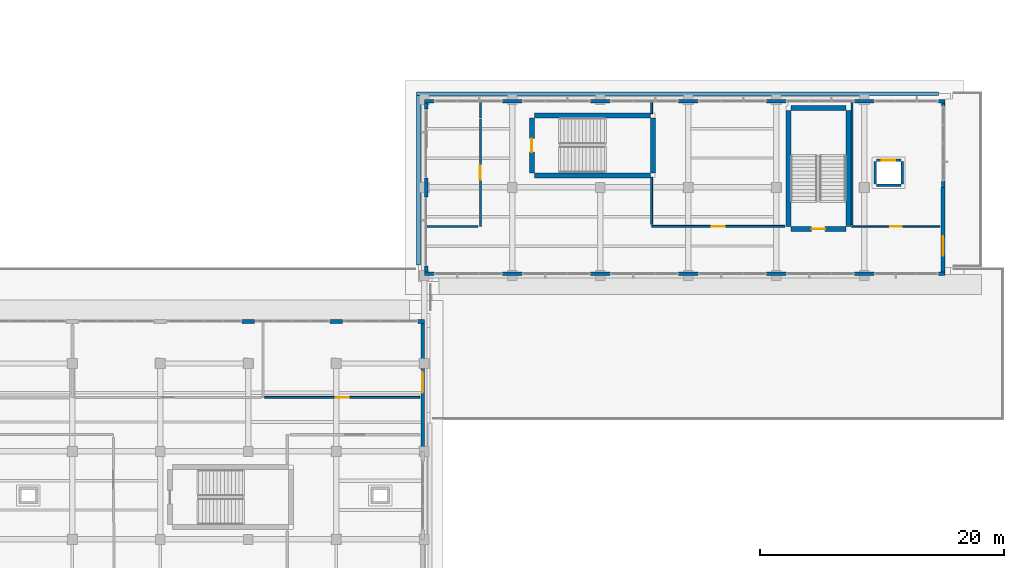
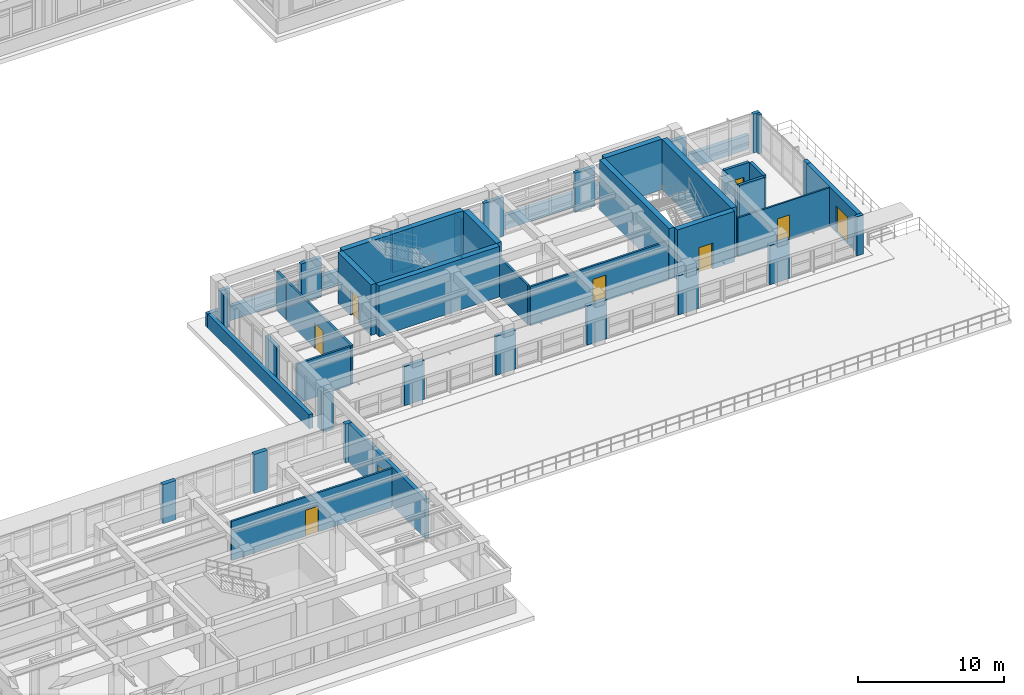
# One storey, part 49 of 67: 48 walls, 9 doors, 9 openings.
"""IFC4 building model written with IfcOpenShell, lengths in metres."""

from ifc_helpers import new_model, si_unit, direction, frame, frame_2d, origin, place, context, subcontext, project, spatial, rectangle, extrude, material, layer, layer_set, type_object, element, fill, save


model = new_model("IFC4")

# Units and contexts
model_context = context("Model", 3, precision=1e-05, world=origin(), true_north=direction((0.0, 1.0)))
body_context = subcontext(model_context, "Body", "Model", "MODEL_VIEW")
ifc_project = project(units=[si_unit("LENGTHUNIT", "METRE"), si_unit("AREAUNIT", "SQUARE_METRE"), si_unit("VOLUMEUNIT", "CUBIC_METRE"), si_unit("PLANEANGLEUNIT", "RADIAN"), si_unit("MASSUNIT", "GRAM", prefix="KILO")], contexts=[model_context])

# Site, building, storey
site_placement = place(None, origin())
site = spatial("IfcSite", under=ifc_project, at=site_placement, CompositionType="ELEMENT")
building_placement = place(site_placement, origin())
building = spatial("IfcBuilding", under=site, at=building_placement, Name="Solenvale Faculty of Natural Sciences", CompositionType="ELEMENT")
storey_placement = place(building_placement, frame((0.0, 0.0, 13.5)))
storey = spatial("IfcBuildingStorey", under=building, at=storey_placement, Name="L03", CompositionType="ELEMENT", Elevation=13.5)

# Walls
ifc_material_1 = material(Name="Architectural bronze concrete 40 MPa", Category="concrete")
ifc_layer_1 = layer(ifc_material_1, 0.300048828125)
ifc_layer_set_1 = layer_set([ifc_layer_1], Name="Architectural bronze concrete 40 MPa")
wall_type_1 = type_object("IfcWallType", Name="WL-EXT-BRZ-300", PredefinedType="STANDARD", material=ifc_layer_set_1)
wall_1_placement = place(storey_placement, frame((114.72998046875, 44.070068359375, 0.0), z_axis=(0.0, 0.0, 1.0), x_axis=(0.0, 1.0, 0.0)))
element("IfcWall", 1, at=wall_1_placement, inside=storey, type_object=wall_type_1, Name="L03 Sliding-Tray Rough Bronze Concrete Band 4", PredefinedType="PARAPET", context=body_context, shape_type="SweptSolid", body=[
    extrude(rectangle(XDim=13.849853515625, YDim=0.300048828125, at=frame_2d((6.9248046875, 0.0))), origin(), (0.0, 0.0, 1.0), 1.179931640625),
])
wall_2_placement = place(storey_placement, frame((114.580078125, 58.070068359375, 0.0), z_axis=(0.0, 0.0, 1.0), x_axis=(0.999999999738, -2.2875705e-05, 0.0)))
element("IfcWall", 2, at=wall_2_placement, inside=storey, type_object=wall_type_1, Name="L03 Sliding-Tray Rough Bronze Concrete Band 5", PredefinedType="PARAPET", context=body_context, shape_type="SweptSolid", body=[
    extrude(rectangle(XDim=42.68994140625, YDim=0.300048828125, at=frame_2d((21.344970703125, 0.0))), origin(), (0.0, 0.0, 1.0), 1.179931640625),
])
ifc_layer_2 = layer(ifc_material_1, 0.324951171875)
ifc_layer_set_2 = layer_set([ifc_layer_2], Name="Architectural bronze concrete 40 MPa")
wall_type_2 = type_object("IfcWallType", Name="WL-EXT-BRZ-325", PredefinedType="STANDARD", material=ifc_layer_set_2)
wall_3_placement = place(storey_placement, frame((115.199951171875, 39.4375, 0.0), z_axis=(0.0, 0.0, 1.0), x_axis=(-1.0, 0.0, 0.0)))
element("IfcWall", 3, at=wall_3_placement, inside=storey, type_object=wall_type_2, Name="L03 Facade Closure Pier 8.B1-L", PredefinedType="STANDARD", context=body_context, shape_type="SweptSolid", body=[
    extrude(rectangle(XDim=0.51806640625, YDim=0.324951171875, at=frame_2d((0.259033203125, 0.0))), origin(), (0.0, 0.0, 1.0), 3.260009765625),
])
for number, where, z_axis, x_axis, name in (
    (4, (108.51806640625, 39.4375, 0.0), (0.0, 0.0, 1.0), (-1.0, 0.0, 0.0), "L03 Facade Closure Pier 8.B1-R"),
    (5, (101.318115234375, 39.4375, 0.0), (0.0, 0.0, 1.0), (-1.0, 0.0, 0.0), "L03 Facade Closure Pier 8.B2-R"),
):
    element("IfcWall", number, at=place(storey_placement, frame(where, z_axis=z_axis, x_axis=x_axis)), inside=storey, type_object=wall_type_2, Name=name, PredefinedType="STANDARD", context=body_context, shape_type="SweptSolid", body=[
        extrude(rectangle(XDim=1.0361328125, YDim=0.324951171875, at=frame_2d((0.51806640625, 0.0))), origin(), (0.0, 0.0, 1.0), 3.260009765625),
    ])
ifc_material_2 = material(Name="Precast concrete 40 MPa", Category="concrete")
ifc_layer_3 = layer(ifc_material_2, 0.264892578125)
ifc_layer_set_3 = layer_set([ifc_layer_3], Name="Precast concrete 40 MPa")
wall_type_3 = type_object("IfcWallType", Name="WL-EXT-PRC-265", PredefinedType="STANDARD", material=ifc_layer_set_3)
wall_4_placement = place(storey_placement, frame((115.0673828125, 39.27490234375, 0.0), z_axis=(0.0, 0.0, 1.0), x_axis=(0.0, -1.0, 0.0)))
element("IfcWall", 6, at=wall_4_placement, inside=storey, type_object=wall_type_3, Name="L03 Exterior Wall 7.4", PredefinedType="STANDARD", context=body_context, shape_type="SweptSolid", body=[
    extrude(rectangle(XDim=3.27490234375, YDim=0.264892578125, at=frame_2d((1.637451171875, 0.0))), origin(), (0.0, 0.0, 1.0), 3.260009765625),
])

# Wall, opening, door
ifc_layer_4 = layer(ifc_material_2, 0.284912109375)
ifc_layer_set_4 = layer_set([ifc_layer_4], Name="Precast concrete 40 MPa")
wall_type_4 = type_object("IfcWallType", Name="WL-EXT-PRC-285", PredefinedType="STANDARD", material=ifc_layer_set_4)
wall_5_placement = place(storey_placement, frame((115.0576171875, 36.0, 0.0), z_axis=(0.0, 0.0, 1.0), x_axis=(0.0, -1.0, 0.0)))
wall_5 = element("IfcWall", 7, at=wall_5_placement, inside=storey, type_object=wall_type_4, Name="L03 Exterior Wall 7.3", PredefinedType="STANDARD", context=body_context, shape_type="SweptSolid", body=[
    extrude(rectangle(XDim=7.199951171875, YDim=0.284912109375, at=frame_2d((3.60009765625, 0.0))), origin(), (0.0, 0.0, 1.0), 3.260009765625),
])
opening_1_placement = place(wall_5_placement, frame((0.699951171875, 0.0, 0.0)))
opening_1 = element("IfcOpeningElement", 8, at=opening_1_placement, cuts=wall_5, Name="Opening TD-40", PredefinedType="OPENING", context=body_context, shape_type="SweptSolid", body=[
    extrude(rectangle(XDim=1.699951171875, YDim=2.199951171875, at=frame_2d((0.85009765625, 1.10009765625))), frame((0.0, 0.15234375, 0.0), z_axis=(0.0, -1.0, 0.0), x_axis=(1.0, 0.0, 0.0)), (0.0, 0.0, 1.0), 0.304931640625),
])
ifc_material_3 = material(Name="Anodised bronze aluminium", Category="aluminium")
door_type_1 = type_object("IfcDoorType", Name="DR-TER-1700x2200", OperationType="NOTDEFINED", PredefinedType="DOOR", material=ifc_material_3)
door_1_placement = place(opening_1_placement, origin())
door_1 = element("IfcDoor", 9, at=door_1_placement, inside=storey, type_object=door_type_1, Name="L03 Exterior Terrace Door TD-40", OperationType="DOUBLE_DOOR_SINGLE_SWING", OverallHeight=2.199951171875, OverallWidth=1.699951171875, PredefinedType="DOOR", context=body_context, shape_type="SweptSolid", body=[
    extrude(rectangle(XDim=1.699951171875, YDim=2.199951171875, at=frame_2d((0.85009765625, 1.10009765625))), frame((0.0, 0.02490234375, 0.0), z_axis=(0.0, -1.0, 0.0), x_axis=(1.0, 0.0, 0.0)), (0.0, 0.0, 1.0), 0.050048828125),
])
fill(opening_1, door_1)

# Walls
wall_6_placement = place(storey_placement, frame((115.199951171875, 43.342529296875, 0.0), z_axis=(0.0, 0.0, 1.0), x_axis=(1.0, 0.0, 0.0)))
element("IfcWall", 10, at=wall_6_placement, inside=storey, type_object=wall_type_4, Name="L03 Facade Closure Pier 1.B1-L", PredefinedType="STANDARD", context=body_context, shape_type="SweptSolid", body=[
    extrude(rectangle(XDim=0.7880859375, YDim=0.284912109375, at=frame_2d((0.39404296875, 0.0))), origin(), (0.0, 0.0, 1.0), 3.260009765625),
])
for number, where, z_axis, x_axis, name in (
    (11, (121.612060546875, 43.342529296875, 0.0), (0.0, 0.0, 1.0), (1.0, 0.0, 0.0), "L03 Facade Closure Pier 1.B1-R"),
    (12, (128.81201171875, 43.342529296875, 0.0), (0.0, 0.0, 1.0), (1.0, 0.0, 0.0), "L03 Facade Closure Pier 1.B2-R"),
    (13, (136.011962890625, 43.342529296875, 0.0), (0.0, 0.0, 1.0), (1.0, 0.0, 0.0), "L03 Facade Closure Pier 1.B3-R"),
):
    element("IfcWall", number, at=place(storey_placement, frame(where, z_axis=z_axis, x_axis=x_axis)), inside=storey, type_object=wall_type_4, Name=name, PredefinedType="STANDARD", context=body_context, shape_type="SweptSolid", body=[
        extrude(rectangle(XDim=1.575927734375, YDim=0.284912109375, at=frame_2d((0.7880859375, 0.0))), origin(), (0.0, 0.0, 1.0), 3.260009765625),
    ])
wall_7_placement = place(storey_placement, frame((143.2119140625, 43.342529296875, 0.0), z_axis=(0.0, 0.0, 1.0), x_axis=(1.0, 0.0, 0.0)))
element("IfcWall", 14, at=wall_7_placement, inside=storey, type_object=wall_type_4, Name="L03 Facade Closure Pier 1.B4-R", PredefinedType="STANDARD", context=body_context, shape_type="SweptSolid", body=[
    extrude(rectangle(XDim=1.576171875, YDim=0.284912109375, at=frame_2d((0.7880859375, 0.0))), origin(), (0.0, 0.0, 1.0), 3.260009765625),
])
wall_8_placement = place(storey_placement, frame((150.412109375, 43.342529296875, 0.0), z_axis=(0.0, 0.0, 1.0), x_axis=(1.0, 0.0, 0.0)))
element("IfcWall", 15, at=wall_8_placement, inside=storey, type_object=wall_type_4, Name="L03 Facade Closure Pier 1.B5-R", PredefinedType="STANDARD", context=body_context, shape_type="SweptSolid", body=[
    extrude(rectangle(XDim=1.575927734375, YDim=0.284912109375, at=frame_2d((0.7880859375, 0.0))), origin(), (0.0, 0.0, 1.0), 3.260009765625),
])
for number, where, z_axis, x_axis, name in (
    (16, (157.281982421875, 43.342529296875, 0.0), (0.0, 0.0, 1.0), (1.0, 0.0, 0.0), "L03 Facade Closure Pier 1.B6-R"),
    (17, (157.657470703125, 50.39990234375, 0.0), (0.0, 0.0, 1.0), (0.0, 1.0, 0.0), "L03 Facade Closure Pier 2.B2-L"),
):
    element("IfcWall", number, at=place(storey_placement, frame(where, z_axis=z_axis, x_axis=x_axis)), inside=storey, type_object=wall_type_4, Name=name, PredefinedType="STANDARD", context=body_context, shape_type="SweptSolid", body=[
        extrude(rectangle(XDim=0.51806640625, YDim=0.284912109375, at=frame_2d((0.259033203125, 0.0))), origin(), (0.0, 0.0, 1.0), 3.260009765625),
    ])
wall_9_placement = place(storey_placement, frame((157.657470703125, 57.08203125, 0.0), z_axis=(0.0, 0.0, 1.0), x_axis=(0.0, 1.0, 0.0)))
element("IfcWall", 18, at=wall_9_placement, inside=storey, type_object=wall_type_4, Name="L03 Facade Closure Pier 2.B2-R", PredefinedType="STANDARD", context=body_context, shape_type="SweptSolid", body=[
    extrude(rectangle(XDim=0.23291015625, YDim=0.284912109375, at=frame_2d((0.116455078125, 0.0))), origin(), (0.0, 0.0, 1.0), 3.260009765625),
])
wall_10_placement = place(storey_placement, frame((157.800048828125, 57.45751953125, 0.0), z_axis=(0.0, 0.0, 1.0), x_axis=(-1.0, 0.0, 0.0)))
element("IfcWall", 19, at=wall_10_placement, inside=storey, type_object=wall_type_4, Name="L03 Facade Closure Pier 3.B1-L", PredefinedType="STANDARD", context=body_context, shape_type="SweptSolid", body=[
    extrude(rectangle(XDim=0.51806640625, YDim=0.284912109375, at=frame_2d((0.259033203125, 0.0))), origin(), (0.0, 0.0, 1.0), 3.260009765625),
])
wall_11_placement = place(storey_placement, frame((151.988037109375, 57.45751953125, 0.0), z_axis=(0.0, 0.0, 1.0), x_axis=(-1.0, 0.0, 0.0)))
element("IfcWall", 20, at=wall_11_placement, inside=storey, type_object=wall_type_4, Name="L03 Facade Closure Pier 3.B1-R", PredefinedType="STANDARD", context=body_context, shape_type="SweptSolid", body=[
    extrude(rectangle(XDim=1.575927734375, YDim=0.284912109375, at=frame_2d((0.7880859375, 0.0))), origin(), (0.0, 0.0, 1.0), 3.260009765625),
])
wall_12_placement = place(storey_placement, frame((144.7880859375, 57.45751953125, 0.0), z_axis=(0.0, 0.0, 1.0), x_axis=(-1.0, 0.0, 0.0)))
element("IfcWall", 21, at=wall_12_placement, inside=storey, type_object=wall_type_4, Name="L03 Facade Closure Pier 3.B2-R", PredefinedType="STANDARD", context=body_context, shape_type="SweptSolid", body=[
    extrude(rectangle(XDim=1.576171875, YDim=0.284912109375, at=frame_2d((0.7880859375, 0.0))), origin(), (0.0, 0.0, 1.0), 3.260009765625),
])
for number, where, z_axis, x_axis, name in (
    (22, (137.587890625, 57.45751953125, 0.0), (0.0, 0.0, 1.0), (-1.0, 0.0, 0.0), "L03 Facade Closure Pier 3.B3-R"),
    (23, (130.387939453125, 57.45751953125, 0.0), (0.0, 0.0, 1.0), (-1.0, 0.0, 0.0), "L03 Facade Closure Pier 3.B4-R"),
    (24, (123.18798828125, 57.45751953125, 0.0), (0.0, 0.0, 1.0), (-1.0, 0.0, 0.0), "L03 Facade Closure Pier 3.B5-R"),
):
    element("IfcWall", number, at=place(storey_placement, frame(where, z_axis=z_axis, x_axis=x_axis)), inside=storey, type_object=wall_type_4, Name=name, PredefinedType="STANDARD", context=body_context, shape_type="SweptSolid", body=[
        extrude(rectangle(XDim=1.575927734375, YDim=0.284912109375, at=frame_2d((0.7880859375, 0.0))), origin(), (0.0, 0.0, 1.0), 3.260009765625),
    ])
wall_13_placement = place(storey_placement, frame((115.988037109375, 57.45751953125, 0.0), z_axis=(0.0, 0.0, 1.0), x_axis=(-1.0, 0.0, 0.0)))
element("IfcWall", 25, at=wall_13_placement, inside=storey, type_object=wall_type_4, Name="L03 Facade Closure Pier 3.B6-R", PredefinedType="STANDARD", context=body_context, shape_type="SweptSolid", body=[
    extrude(rectangle(XDim=0.7880859375, YDim=0.284912109375, at=frame_2d((0.39404296875, 0.0))), origin(), (0.0, 0.0, 1.0), 3.260009765625),
])
wall_14_placement = place(storey_placement, frame((115.342529296875, 57.31494140625, 0.0), z_axis=(0.0, 0.0, 1.0), x_axis=(0.0, -1.0, 0.0)))
element("IfcWall", 26, at=wall_14_placement, inside=storey, type_object=wall_type_4, Name="L03 Facade Closure Pier 4.B1-L", PredefinedType="STANDARD", context=body_context, shape_type="SweptSolid", body=[
    extrude(rectangle(XDim=0.5029296875, YDim=0.284912109375, at=frame_2d((0.25146484375, 0.0))), origin(), (0.0, 0.0, 1.0), 3.260009765625),
])
wall_15_placement = place(storey_placement, frame((115.342529296875, 51.18798828125, 0.0), z_axis=(0.0, 0.0, 1.0), x_axis=(0.0, -1.0, 0.0)))
element("IfcWall", 27, at=wall_15_placement, inside=storey, type_object=wall_type_4, Name="L03 Facade Closure Pier 4.B1-R", PredefinedType="STANDARD", context=body_context, shape_type="SweptSolid", body=[
    extrude(rectangle(XDim=1.575927734375, YDim=0.284912109375, at=frame_2d((0.7880859375, 0.0))), origin(), (0.0, 0.0, 1.0), 3.260009765625),
])
wall_16_placement = place(storey_placement, frame((115.342529296875, 43.988037109375, 0.0), z_axis=(0.0, 0.0, 1.0), x_axis=(0.0, -1.0, 0.0)))
element("IfcWall", 28, at=wall_16_placement, inside=storey, type_object=wall_type_4, Name="L03 Facade Closure Pier 4.B2-R", PredefinedType="STANDARD", context=body_context, shape_type="SweptSolid", body=[
    extrude(rectangle(XDim=0.5029296875, YDim=0.284912109375, at=frame_2d((0.25146484375, 0.0))), origin(), (0.0, 0.0, 1.0), 3.260009765625),
])

# Wall, opening, door
ifc_layer_5 = layer(ifc_material_2, 0.330078125)
ifc_layer_set_5 = layer_set([ifc_layer_5], Name="Precast concrete 40 MPa")
wall_type_5 = type_object("IfcWallType", Name="WL-EXT-PRC-330", PredefinedType="STANDARD", material=ifc_layer_set_5)
wall_17_placement = place(storey_placement, frame((157.635009765625, 50.39990234375, 0.0), z_axis=(0.0, 0.0, 1.0), x_axis=(0.0, -1.0, 0.0)))
wall_17 = element("IfcWall", 29, at=wall_17_placement, inside=storey, type_object=wall_type_5, Name="L03 Exterior Wall 2.1", PredefinedType="STANDARD", context=body_context, shape_type="SweptSolid", body=[
    extrude(rectangle(XDim=6.914794921875, YDim=0.330078125, at=frame_2d((3.45751953125, 0.0))), origin(), (0.0, 0.0, 1.0), 3.260009765625),
])
opening_2_placement = place(wall_17_placement, frame((4.008056640625, 0.0, 0.0)))
opening_2 = element("IfcOpeningElement", 30, at=opening_2_placement, cuts=wall_17, Name="Opening TD-41", PredefinedType="OPENING", context=body_context, shape_type="SweptSolid", body=[
    extrude(rectangle(XDim=1.60009765625, YDim=2.199951171875, at=frame_2d((0.800048828125, 1.10009765625))), frame((0.0, 0.175048828125, 0.0), z_axis=(0.0, -1.0, 0.0), x_axis=(1.0, 0.0, 0.0)), (0.0, 0.0, 1.0), 0.35009765625),
])
door_type_2 = type_object("IfcDoorType", Name="DR-TER-1600x2200", OperationType="NOTDEFINED", PredefinedType="DOOR", material=ifc_material_3)
door_2_placement = place(opening_2_placement, origin())
door_2 = element("IfcDoor", 31, at=door_2_placement, inside=storey, type_object=door_type_2, Name="L03 Exterior Terrace Door TD-41", OperationType="DOUBLE_DOOR_SINGLE_SWING", OverallHeight=2.199951171875, OverallWidth=1.60009765625, PredefinedType="DOOR", context=body_context, shape_type="SweptSolid", body=[
    extrude(rectangle(XDim=1.60009765625, YDim=2.199951171875, at=frame_2d((0.800048828125, 1.10009765625))), frame((0.0, 0.02490234375, 0.0), z_axis=(0.0, -1.0, 0.0), x_axis=(1.0, 0.0, 0.0)), (0.0, 0.0, 1.0), 0.050048828125),
])
fill(opening_2, door_2)

ifc_material_4 = material(Name="Acoustic stud gypsum partition")
ifc_layer_6 = layer(ifc_material_4, 0.132080078125)
ifc_layer_set_6 = layer_set([ifc_layer_6], Name="Acoustic stud gypsum partition")
wall_type_6 = type_object("IfcWallType", Name="WL-OFF-132", PredefinedType="PARTITIONING", material=ifc_layer_set_6)
wall_18_placement = place(storey_placement, frame((157.39208984375, 47.219970703125, 0.0), z_axis=(0.0, 0.0, 1.0), x_axis=(-1.0, 0.0, 0.0)))
wall_18 = element("IfcWall", 32, at=wall_18_placement, inside=storey, type_object=wall_type_6, Name="L03 Faculty Staff Office Partition 2", PredefinedType="PARTITIONING", context=body_context, shape_type="SweptSolid", body=[
    extrude(rectangle(XDim=7.192138671875, YDim=0.132080078125, at=frame_2d((3.59619140625, 0.0))), origin(), (0.0, 0.0, 1.0), 3.260009765625),
])
opening_3_placement = place(wall_18_placement, frame((3.12109375, 0.0, 0.0)))
opening_3 = element("IfcOpeningElement", 33, at=opening_3_placement, cuts=wall_18, Name="Opening D-L03-12", PredefinedType="OPENING", context=body_context, shape_type="SweptSolid", body=[
    extrude(rectangle(XDim=0.949951171875, YDim=2.10009765625, at=frame_2d((0.47509765625, 1.050048828125))), frame((0.0, 0.075927734375, 0.0), z_axis=(0.0, -1.0, 0.0), x_axis=(1.0, 0.0, 0.0)), (0.0, 0.0, 1.0), 0.152099609375),
])
ifc_material_5 = material(Name="Oak acoustic timber leaf", Category="wood")
door_type_3 = type_object("IfcDoorType", Name="DR-OFF-0950x2100", OperationType="NOTDEFINED", PredefinedType="DOOR", material=ifc_material_5)
door_3_placement = place(opening_3_placement, origin())
door_3 = element("IfcDoor", 34, at=door_3_placement, inside=storey, type_object=door_type_3, Name="L03 Faculty Staff Office Door", OperationType="SINGLE_SWING_RIGHT", OverallHeight=2.10009765625, OverallWidth=0.949951171875, PredefinedType="DOOR", context=body_context, shape_type="SweptSolid", body=[
    extrude(rectangle(XDim=0.949951171875, YDim=2.10009765625, at=frame_2d((0.47509765625, 1.050048828125))), frame((0.0, 0.02490234375, 0.0), z_axis=(0.0, -1.0, 0.0), x_axis=(1.0, 0.0, 0.0)), (0.0, 0.0, 1.0), 0.050048828125),
])
fill(opening_3, door_3)

# Wall
wall_19_placement = place(storey_placement, frame((150.199951171875, 47.364013671875, 0.0), z_axis=(0.0, 0.0, 1.0), x_axis=(0.0, 1.0, 0.0)))
element("IfcWall", 35, at=wall_19_placement, inside=storey, type_object=wall_type_6, Name="L03 Faculty Staff Office Partition 3", PredefinedType="PARTITIONING", context=body_context, shape_type="SweptSolid", body=[
    extrude(rectangle(XDim=10.053955078125, YDim=0.132080078125, at=frame_2d((5.02685546875, 0.0))), origin(), (0.0, 0.0, 1.0), 3.260009765625),
])

# Wall, opening, door
ifc_material_6 = material(Name="Acoustic double-stud gypsum partition")
ifc_layer_7 = layer(ifc_material_6, 0.155029296875)
ifc_layer_set_7 = layer_set([ifc_layer_7], Name="Acoustic double-stud gypsum partition")
wall_type_7 = type_object("IfcWallType", Name="WL-SEM-155", PredefinedType="PARTITIONING", material=ifc_layer_set_7)
wall_20_placement = place(storey_placement, frame((114.825927734375, 33.219970703125, 0.0), z_axis=(0.0, 0.0, 1.0), x_axis=(-1.0, 0.0, 0.0)))
wall_20 = element("IfcWall", 36, at=wall_20_placement, inside=storey, type_object=wall_type_7, Name="L03 Seminar Room Partition 4", PredefinedType="PARTITIONING", context=body_context, shape_type="SweptSolid", body=[
    extrude(rectangle(XDim=12.6669921875, YDim=0.155029296875, at=frame_2d((6.33349609375, 0.0))), origin(), (0.0, 0.0, 1.0), 3.260009765625),
])
opening_4_placement = place(wall_20_placement, frame((5.80810546875, 0.0, 0.0)))
opening_4 = element("IfcOpeningElement", 37, at=opening_4_placement, cuts=wall_20, Name="Opening D-L03-07", PredefinedType="OPENING", context=body_context, shape_type="SweptSolid", body=[
    extrude(rectangle(XDim=1.050048828125, YDim=2.14990234375, at=frame_2d((0.52490234375, 1.074951171875))), frame((0.0, 0.08740234375, 0.0), z_axis=(0.0, -1.0, 0.0), x_axis=(1.0, 0.0, 0.0)), (0.0, 0.0, 1.0), 0.175048828125),
])
door_type_4 = type_object("IfcDoorType", Name="DR-SEM-1050x2150", OperationType="NOTDEFINED", PredefinedType="DOOR", material=ifc_material_5)
door_4_placement = place(opening_4_placement, origin())
door_4 = element("IfcDoor", 38, at=door_4_placement, inside=storey, type_object=door_type_4, Name="L03 Seminar Room Door", OperationType="SINGLE_SWING_LEFT", OverallHeight=2.14990234375, OverallWidth=1.050048828125, PredefinedType="DOOR", context=body_context, shape_type="SweptSolid", body=[
    extrude(rectangle(XDim=1.050048828125, YDim=2.14990234375, at=frame_2d((0.52490234375, 1.074951171875))), frame((0.0, 0.02490234375, 0.0), z_axis=(0.0, -1.0, 0.0), x_axis=(1.0, 0.0, 0.0)), (0.0, 0.0, 1.0), 0.050048828125),
])
fill(opening_4, door_4)

wall_21_placement = place(storey_placement, frame((144.700927734375, 47.219970703125, 0.0), z_axis=(0.0, 0.0, 1.0), x_axis=(-1.0, 0.0, 0.0)))
wall_21 = element("IfcWall", 39, at=wall_21_placement, inside=storey, type_object=wall_type_7, Name="L03 Science Library Reference Reading Hall Partition 7", PredefinedType="PARTITIONING", context=body_context, shape_type="SweptSolid", body=[
    extrude(rectangle(XDim=10.90087890625, YDim=0.155029296875, at=frame_2d((5.450439453125, 0.0))), origin(), (0.0, 0.0, 1.0), 3.260009765625),
])
opening_5_placement = place(wall_21_placement, frame((4.925048828125, 0.0, 0.0)))
opening_5 = element("IfcOpeningElement", 40, at=opening_5_placement, cuts=wall_21, Name="Opening D-L03-11", PredefinedType="OPENING", context=body_context, shape_type="SweptSolid", body=[
    extrude(rectangle(XDim=1.050048828125, YDim=2.14990234375, at=frame_2d((0.52490234375, 1.074951171875))), frame((0.0, 0.08740234375, 0.0), z_axis=(0.0, -1.0, 0.0), x_axis=(1.0, 0.0, 0.0)), (0.0, 0.0, 1.0), 0.175048828125),
])
door_5_placement = place(opening_5_placement, origin())
door_5 = element("IfcDoor", 41, at=door_5_placement, inside=storey, type_object=door_type_4, Name="L03 Science Library Reference Reading Hall Door", OperationType="SINGLE_SWING_LEFT", OverallHeight=2.14990234375, OverallWidth=1.050048828125, PredefinedType="DOOR", context=body_context, shape_type="SweptSolid", body=[
    extrude(rectangle(XDim=1.050048828125, YDim=2.14990234375, at=frame_2d((0.52490234375, 1.074951171875))), frame((0.0, 0.02490234375, 0.0), z_axis=(0.0, -1.0, 0.0), x_axis=(1.0, 0.0, 0.0)), (0.0, 0.0, 1.0), 0.050048828125),
])
fill(opening_5, door_5)

# Walls
wall_22_placement = place(storey_placement, frame((133.800048828125, 47.386962890625, 0.0), z_axis=(0.0, 0.0, 1.0), x_axis=(0.0, 1.0, 0.0)))
element("IfcWall", 42, at=wall_22_placement, inside=storey, type_object=wall_type_7, Name="L03 Science Library Reference Reading Hall Partition 8", PredefinedType="PARTITIONING", context=body_context, shape_type="SweptSolid", body=[
    extrude(rectangle(XDim=3.863037109375, YDim=0.155029296875, at=frame_2d((1.931640625, 0.0))), origin(), (0.0, 0.0, 1.0), 3.260009765625),
])
wall_23_placement = place(storey_placement, frame((133.800048828125, 56.449951171875, 0.0), z_axis=(0.0, 0.0, 1.0), x_axis=(0.0, 1.0, 0.0)))
element("IfcWall", 43, at=wall_23_placement, inside=storey, type_object=wall_type_7, Name="L03 Science Library Reference Reading Hall Partition 34", PredefinedType="PARTITIONING", context=body_context, shape_type="SweptSolid", body=[
    extrude(rectangle(XDim=0.968017578125, YDim=0.155029296875, at=frame_2d((0.48388671875, 0.0))), origin(), (0.0, 0.0, 1.0), 3.260009765625),
])

# Wall, opening, door
ifc_layer_8 = layer(ifc_material_6, 0.1650390625)
ifc_layer_set_8 = layer_set([ifc_layer_8], Name="Acoustic double-stud gypsum partition")
wall_type_8 = type_object("IfcWallType", Name="WL-SEM-165", PredefinedType="PARTITIONING", material=ifc_layer_set_8)
wall_24_placement = place(storey_placement, frame((119.780029296875, 56.0, 0.0), z_axis=(0.0, 0.0, 1.0), x_axis=(0.0, -1.0, 0.0)))
wall_24 = element("IfcWall", 44, at=wall_24_placement, inside=storey, type_object=wall_type_8, Name="L03 Learning Commons Partition 16", PredefinedType="PARTITIONING", context=body_context, shape_type="SweptSolid", body=[
    extrude(rectangle(XDim=8.780029296875, YDim=0.1650390625, at=frame_2d((4.39013671875, 0.0))), origin(), (0.0, 0.0, 1.0), 3.260009765625),
])
opening_6_placement = place(wall_24_placement, frame((3.830078125, 0.0, 0.0)))
opening_6 = element("IfcOpeningElement", 45, at=opening_6_placement, cuts=wall_24, Name="Opening D-L03-10", PredefinedType="OPENING", context=body_context, shape_type="SweptSolid", body=[
    extrude(rectangle(XDim=1.1201171875, YDim=2.14990234375, at=frame_2d((0.56005859375, 1.074951171875))), frame((0.0, 0.092529296875, 0.0), z_axis=(0.0, -1.0, 0.0), x_axis=(1.0, 0.0, 0.0)), (0.0, 0.0, 1.0), 0.18505859375),
])
door_type_5 = type_object("IfcDoorType", Name="DR-SEM-1120x2150", OperationType="NOTDEFINED", PredefinedType="DOOR", material=ifc_material_5)
door_6_placement = place(opening_6_placement, origin())
door_6 = element("IfcDoor", 46, at=door_6_placement, inside=storey, type_object=door_type_5, Name="L03 Learning Commons Door", OperationType="SINGLE_SWING_RIGHT", OverallHeight=2.14990234375, OverallWidth=1.1201171875, PredefinedType="DOOR", context=body_context, shape_type="SweptSolid", body=[
    extrude(rectangle(XDim=1.1201171875, YDim=2.14990234375, at=frame_2d((0.56005859375, 1.074951171875))), frame((0.0, 0.02490234375, 0.0), z_axis=(0.0, -1.0, 0.0), x_axis=(1.0, 0.0, 0.0)), (0.0, 0.0, 1.0), 0.050048828125),
])
fill(opening_6, door_6)

# Walls
wall_25_placement = place(storey_placement, frame((119.60302734375, 47.219970703125, 0.0), z_axis=(0.0, 0.0, 1.0), x_axis=(-1.0, 0.0, 0.0)))
element("IfcWall", 47, at=wall_25_placement, inside=storey, type_object=wall_type_8, Name="L03 Learning Commons Partition 17", PredefinedType="PARTITIONING", context=body_context, shape_type="SweptSolid", body=[
    extrude(rectangle(XDim=4.219970703125, YDim=0.1650390625, at=frame_2d((2.10986328125, 0.0))), origin(), (0.0, 0.0, 1.0), 3.260009765625),
])
wall_26_placement = place(storey_placement, frame((119.800048828125, 57.41796875, 0.0), z_axis=(0.0, 0.0, 1.0), x_axis=(0.0, -1.0, 0.0)))
element("IfcWall", 48, at=wall_26_placement, inside=storey, type_object=wall_type_8, Name="L03 Learning Commons Partition 20", PredefinedType="PARTITIONING", context=body_context, shape_type="SweptSolid", body=[
    extrude(rectangle(XDim=1.323974609375, YDim=0.1650390625, at=frame_2d((0.662109375, 0.0))), origin(), (0.0, 0.0, 1.0), 3.260009765625),
])
ifc_material_7 = material(Name="Concrete 40 MPa", Category="concrete")
ifc_layer_9 = layer(ifc_material_7, 0.219970703125)
ifc_layer_set_9 = layer_set([ifc_layer_9], Name="Concrete 40 MPa")
wall_type_9 = type_object("IfcWallType", Name="WL-SHF-220", PredefinedType="STANDARD", material=ifc_layer_set_9)
wall_27_placement = place(storey_placement, frame((152.205078125, 50.570068359375, 0.0), z_axis=(0.0, 0.0, 1.0), x_axis=(1.0, 0.0, 0.0)))
element("IfcWall", 49, at=wall_27_placement, inside=storey, type_object=wall_type_9, Name="Elevator LP-02 L03 Shaft Wall S", PredefinedType="STANDARD", context=body_context, shape_type="SweptSolid", body=[
    extrude(rectangle(XDim=1.989990234375, YDim=0.219970703125, at=frame_2d((0.9951171875, 0.0))), origin(), (0.0, 0.0, 1.0), 3.260009765625),
])

# Wall, opening, door
wall_28_placement = place(storey_placement, frame((152.205078125, 52.6298828125, 0.0), z_axis=(0.0, 0.0, 1.0), x_axis=(1.0, 0.0, 0.0)))
wall_28 = element("IfcWall", 50, at=wall_28_placement, inside=storey, type_object=wall_type_9, Name="Elevator LP-02 L03 Shaft Wall N", PredefinedType="STANDARD", context=body_context, shape_type="SweptSolid", body=[
    extrude(rectangle(XDim=1.989990234375, YDim=0.219970703125, at=frame_2d((0.9951171875, 0.0))), origin(), (0.0, 0.0, 1.0), 3.260009765625),
])
opening_7_placement = place(wall_28_placement, frame((0.445068359375, 0.0, 0.0)))
opening_7 = element("IfcOpeningElement", 51, at=opening_7_placement, cuts=wall_28, Name="Opening LD-LP-02-L03", PredefinedType="OPENING", context=body_context, shape_type="SweptSolid", body=[
    extrude(rectangle(XDim=1.10009765625, YDim=2.14990234375, at=frame_2d((0.550048828125, 1.074951171875))), frame((0.0, 0.119873046875, 0.0), z_axis=(0.0, -1.0, 0.0), x_axis=(1.0, 0.0, 0.0)), (0.0, 0.0, 1.0), 0.239990234375),
])
ifc_material_8 = material(Name="Stainless steel Grade 304", Category="steel")
door_type_6 = type_object("IfcDoorType", Name="DR-LIFT-1100x2150", OperationType="NOTDEFINED", PredefinedType="DOOR", material=ifc_material_8)
door_7_placement = place(opening_7_placement, origin())
door_7 = element("IfcDoor", 52, at=door_7_placement, inside=storey, type_object=door_type_6, Name="Elevator LP-02 L03 Sliding Landing Door", OperationType="SLIDING_TO_LEFT", OverallHeight=2.14990234375, OverallWidth=1.10009765625, PredefinedType="DOOR", context=body_context, shape_type="SweptSolid", body=[
    extrude(rectangle(XDim=1.10009765625, YDim=2.14990234375, at=frame_2d((0.550048828125, 1.074951171875))), frame((0.0, 0.02490234375, 0.0), z_axis=(0.0, -1.0, 0.0), x_axis=(1.0, 0.0, 0.0)), (0.0, 0.0, 1.0), 0.050048828125),
])
fill(opening_7, door_7)

# Walls
for number, where, z_axis, x_axis, name in (
    (53, (152.094970703125, 50.679931640625, 0.0), (0.0, 0.0, 1.0), (0.0, 1.0, 0.0), "Elevator LP-02 L03 Shaft Wall W"),
    (54, (154.304931640625, 50.679931640625, 0.0), (0.0, 0.0, 1.0), (0.0, 1.0, 0.0), "Elevator LP-02 L03 Shaft Wall E"),
):
    element("IfcWall", number, at=place(storey_placement, frame(where, z_axis=z_axis, x_axis=x_axis)), inside=storey, type_object=wall_type_9, Name=name, PredefinedType="STANDARD", context=body_context, shape_type="SweptSolid", body=[
        extrude(rectangle(XDim=1.840087890625, YDim=0.219970703125, at=frame_2d((0.919921875, 0.0))), origin(), (0.0, 0.0, 1.0), 3.260009765625),
    ])

# Wall, opening, door
ifc_material_9 = material(Name="Concrete 50 MPa", Category="concrete")
ifc_layer_10 = layer(ifc_material_9, 0.409912109375)
ifc_layer_set_10 = layer_set([ifc_layer_10], Name="Concrete 50 MPa")
wall_type_10 = type_object("IfcWallType", Name="WL-SHR-410", PredefinedType="SHEAR", material=ifc_layer_set_10)
wall_29_placement = place(storey_placement, frame((145.199951171875, 46.9951171875, 0.0), z_axis=(0.0, 0.0, 1.0), x_axis=(1.0, 0.0, 0.0)))
wall_29 = element("IfcWall", 55, at=wall_29_placement, inside=storey, type_object=wall_type_10, Name="Core C2 L03 Shear Wall S", PredefinedType="SHEAR", context=body_context, shape_type="SweptSolid", body=[
    extrude(rectangle(XDim=4.5, YDim=0.409912109375, at=frame_2d((2.25, 0.0))), origin(), (0.0, 0.0, 1.0), 4.219970703125),
])
opening_8_placement = place(wall_29_placement, frame((1.699951171875, 0.0, 0.0)))
opening_8 = element("IfcOpeningElement", 56, at=opening_8_placement, cuts=wall_29, Name="Opening DS-C2-L03", PredefinedType="OPENING", context=body_context, shape_type="SweptSolid", body=[
    extrude(rectangle(XDim=1.10009765625, YDim=2.14990234375, at=frame_2d((0.550048828125, 1.074951171875))), frame((0.0, 0.21484375, 0.0), z_axis=(0.0, -1.0, 0.0), x_axis=(1.0, 0.0, 0.0)), (0.0, 0.0, 1.0), 0.429931640625),
])
ifc_material_10 = material(Name="Galvanised steel S355", Category="steel")
door_type_7 = type_object("IfcDoorType", Name="DR-STAIR-1100x2150", OperationType="NOTDEFINED", PredefinedType="DOOR", material=ifc_material_10)
door_8_placement = place(opening_8_placement, origin())
door_8 = element("IfcDoor", 57, at=door_8_placement, inside=storey, type_object=door_type_7, Name="L03 Stair ST-02 Fire Door", OperationType="SINGLE_SWING_LEFT", OverallHeight=2.14990234375, OverallWidth=1.10009765625, PredefinedType="DOOR", context=body_context, shape_type="SweptSolid", body=[
    extrude(rectangle(XDim=1.10009765625, YDim=2.14990234375, at=frame_2d((0.550048828125, 1.074951171875))), frame((0.0, 0.02490234375, 0.0), z_axis=(0.0, -1.0, 0.0), x_axis=(1.0, 0.0, 0.0)), (0.0, 0.0, 1.0), 0.050048828125),
])
fill(opening_8, door_8)

# Walls
wall_30_placement = place(storey_placement, frame((145.199951171875, 56.905029296875, 0.0), z_axis=(0.0, 0.0, 1.0), x_axis=(1.0, 0.0, 0.0)))
element("IfcWall", 58, at=wall_30_placement, inside=storey, type_object=wall_type_10, Name="Core C2 L03 Shear Wall N", PredefinedType="SHEAR", context=body_context, shape_type="SweptSolid", body=[
    extrude(rectangle(XDim=4.5, YDim=0.409912109375, at=frame_2d((2.25, 0.0))), origin(), (0.0, 0.0, 1.0), 4.219970703125),
])
for number, where, z_axis, x_axis, name in (
    (59, (144.9951171875, 47.199951171875, 0.0), (0.0, 0.0, 1.0), (0.0, 1.0, 0.0), "Core C2 L03 Shear Wall W"),
    (60, (149.905029296875, 47.199951171875, 0.0), (0.0, 0.0, 1.0), (0.0, 1.0, 0.0), "Core C2 L03 Shear Wall E"),
    (61, (124.199951171875, 51.39501953125, 0.0), (0.0, 0.0, 1.0), (1.0, 0.0, 0.0), "Core C2B L03 Shear Wall S"),
    (62, (124.199951171875, 56.304931640625, 0.0), (0.0, 0.0, 1.0), (1.0, 0.0, 0.0), "Core C2B L03 Shear Wall N"),
):
    element("IfcWall", number, at=place(storey_placement, frame(where, z_axis=z_axis, x_axis=x_axis)), inside=storey, type_object=wall_type_10, Name=name, PredefinedType="SHEAR", context=body_context, shape_type="SweptSolid", body=[
        extrude(rectangle(XDim=9.5, YDim=0.409912109375, at=frame_2d((4.75, 0.0))), origin(), (0.0, 0.0, 1.0), 4.219970703125),
    ])

# Wall, opening, door
wall_31_placement = place(storey_placement, frame((123.9951171875, 51.60009765625, 0.0), z_axis=(0.0, 0.0, 1.0), x_axis=(0.0, 1.0, 0.0)))
wall_31 = element("IfcWall", 63, at=wall_31_placement, inside=storey, type_object=wall_type_10, Name="Core C2B L03 Shear Wall W", PredefinedType="SHEAR", context=body_context, shape_type="SweptSolid", body=[
    extrude(rectangle(XDim=4.5, YDim=0.409912109375, at=frame_2d((2.25, 0.0))), origin(), (0.0, 0.0, 1.0), 4.219970703125),
])
opening_9_placement = place(wall_31_placement, frame((1.699951171875, 0.0, 0.0)))
opening_9 = element("IfcOpeningElement", 64, at=opening_9_placement, cuts=wall_31, Name="Opening DS-C2B-L03", PredefinedType="OPENING", context=body_context, shape_type="SweptSolid", body=[
    extrude(rectangle(XDim=1.10009765625, YDim=2.14990234375, at=frame_2d((0.550048828125, 1.074951171875))), frame((0.0, 0.21484375, 0.0), z_axis=(0.0, -1.0, 0.0), x_axis=(1.0, 0.0, 0.0)), (0.0, 0.0, 1.0), 0.429931640625),
])
door_9_placement = place(opening_9_placement, origin())
door_9 = element("IfcDoor", 65, at=door_9_placement, inside=storey, type_object=door_type_7, Name="L03 Stair ST-08 Fire Door", OperationType="SINGLE_SWING_LEFT", OverallHeight=2.14990234375, OverallWidth=1.10009765625, PredefinedType="DOOR", context=body_context, shape_type="SweptSolid", body=[
    extrude(rectangle(XDim=1.10009765625, YDim=2.14990234375, at=frame_2d((0.550048828125, 1.074951171875))), frame((0.0, 0.02490234375, 0.0), z_axis=(0.0, -1.0, 0.0), x_axis=(1.0, 0.0, 0.0)), (0.0, 0.0, 1.0), 0.050048828125),
])
fill(opening_9, door_9)

# Wall
wall_32_placement = place(storey_placement, frame((133.905029296875, 51.60009765625, 0.0), z_axis=(0.0, 0.0, 1.0), x_axis=(0.0, 1.0, 0.0)))
element("IfcWall", 66, at=wall_32_placement, inside=storey, type_object=wall_type_10, Name="Core C2B L03 Shear Wall E", PredefinedType="SHEAR", context=body_context, shape_type="SweptSolid", body=[
    extrude(rectangle(XDim=4.5, YDim=0.409912109375, at=frame_2d((2.25, 0.0))), origin(), (0.0, 0.0, 1.0), 4.219970703125),
])

save(model, "model.ifc")
